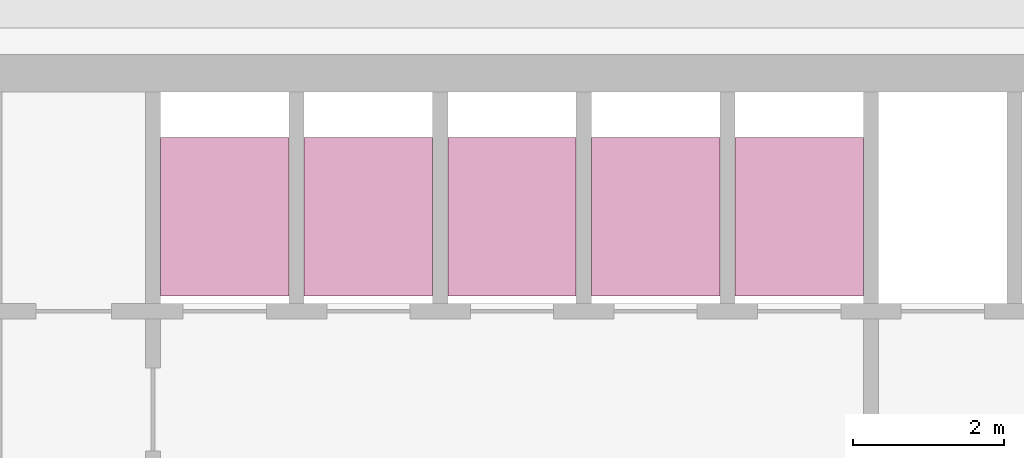
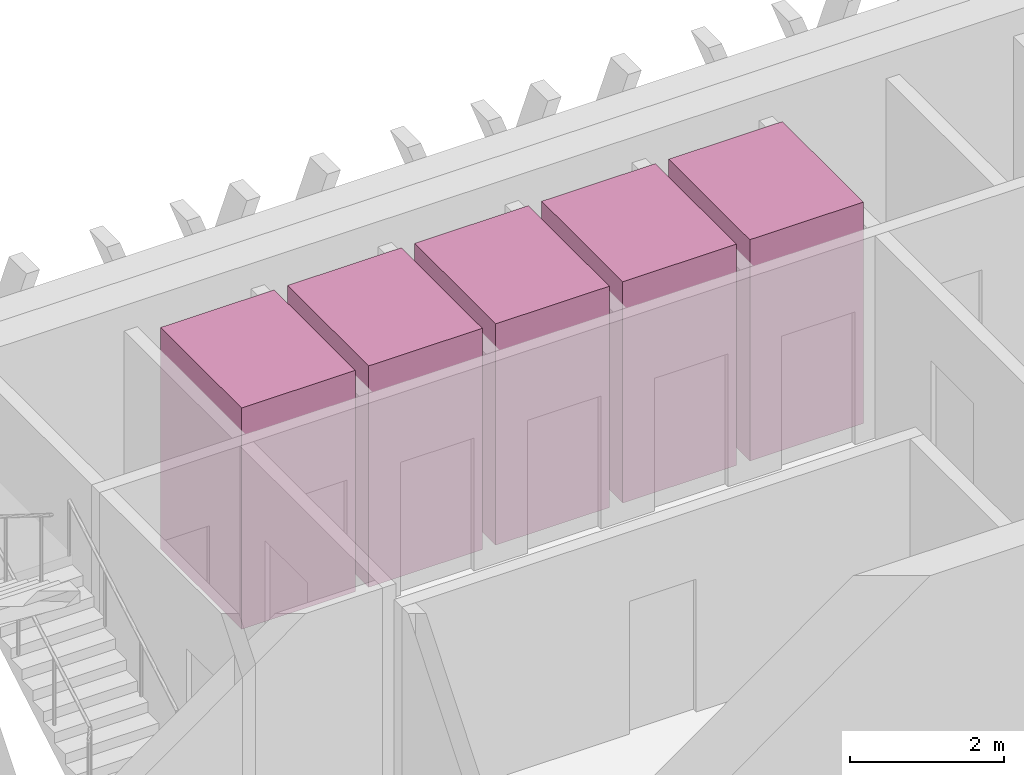
# One storey, part 12 of 12: 5 transport elements.
"""IFC4 building model written with IfcOpenShell, lengths in metres."""

import ifcopenshell
import ifcopenshell.guid

model = None  # the IFC model being written
_history = None  # IfcOwnerHistory: only IFC2X3 demands one
_inside = {}  # id of a spatial element -> (the spatial element, [elements in it])
_under = {}  # id of a project, library or spatial element -> (it, [spatial elements below it])
_declared = {}  # id of a project -> (the project, [libraries it declares])
_typed = {}  # id of a type object -> (the type object, [elements of that type])
_made_of = {}  # id of a material, layer set ... -> (it, [elements and type objects made of it])


def new_model(schema):
    """Start an empty IFC model of exactly this schema.

    Asked for "IFC4X3", IfcOpenShell would pick the latest addendum, in which some entities
    have other attributes; the version numbers below select the first issue.
    IFC2X3 requires an IfcOwnerHistory on every rooted entity: one is made here for all.
    """
    global model, _history
    if schema == "IFC4X3":
        model = ifcopenshell.file(schema_version=(4, 3, 0, 0))
    else:
        model = ifcopenshell.file(schema=schema)
    _inside.clear()
    _under.clear()
    _declared.clear()
    _typed.clear()
    _made_of.clear()
    _history = None
    if model.schema == "IFC2X3":
        org = make("IfcOrganization", Name="unknown")
        user = make(
            "IfcPersonAndOrganization",
            ThePerson=make("IfcPerson", FamilyName="unknown"),
            TheOrganization=org,
        )
        app = make(
            "IfcApplication",
            ApplicationDeveloper=org,
            Version="unknown",
            ApplicationFullName="unknown",
            ApplicationIdentifier="unknown",
        )
        _history = make(
            "IfcOwnerHistory",
            OwningUser=user,
            OwningApplication=app,
            ChangeAction="ADDED",
            CreationDate=0,
        )
    return model


def make(cls, **values):
    """One entity of the class cls with the attributes given. An attribute that is None is left unset."""
    return model.create_entity(
        cls, **{name: value for name, value in values.items() if value is not None}
    )


def rooted(cls, **values):
    """An entity with a GlobalId (a new one), such as an element, a storey or a relation."""
    return make(cls, GlobalId=ifcopenshell.guid.new(), OwnerHistory=_history, **values)


def si_unit(unit_type, name, prefix=None):
    """IfcSIUnit, for example si_unit("LENGTHUNIT", "METRE", prefix="MILLI")."""
    return make("IfcSIUnit", UnitType=unit_type, Prefix=prefix, Name=name)


def assignment(units):
    """IfcUnitAssignment: the units of a project."""
    return None if units is None else make("IfcUnitAssignment", Units=units)


def point(xyz):
    """IfcCartesianPoint."""
    return None if xyz is None else make("IfcCartesianPoint", Coordinates=xyz)


def direction(xyz):
    """IfcDirection."""
    return None if xyz is None else make("IfcDirection", DirectionRatios=xyz)


def frame(location, z_axis=None, x_axis=None):
    """IfcAxis2Placement3D, a coordinate frame: its origin and axes. An axis left out is left unset."""
    return make(
        "IfcAxis2Placement3D",
        Location=point(location),
        Axis=direction(z_axis),
        RefDirection=direction(x_axis),
    )


def frame_2d(location, x_axis=None):
    """IfcAxis2Placement2D, a coordinate frame in the plane: its origin and x axis."""
    return make(
        "IfcAxis2Placement2D", Location=point(location), RefDirection=direction(x_axis)
    )


def origin():
    """The frame at (0, 0, 0) with its axes left unset."""
    return frame((0.0, 0.0, 0.0))


def origin_2d():
    """The frame at (0, 0) in the plane with its x axis left unset."""
    return frame_2d((0.0, 0.0))


def place(relative_to, where):
    """IfcLocalPlacement: puts the frame where relative to a parent placement (None: the world)."""
    return make(
        "IfcLocalPlacement", PlacementRelTo=relative_to, RelativePlacement=where
    )


def context(
    kind, dimensions, precision=None, world=None, true_north=None, identifier=None
):
    """IfcGeometricRepresentationContext, for example the 3D "Model" context."""
    return make(
        "IfcGeometricRepresentationContext",
        ContextIdentifier=identifier,
        ContextType=kind,
        CoordinateSpaceDimension=dimensions,
        Precision=precision,
        WorldCoordinateSystem=world,
        TrueNorth=true_north,
    )


def subcontext(parent, identifier, kind, view, scale=None):
    """IfcGeometricRepresentationSubContext, for example "Body" below "Model"."""
    return make(
        "IfcGeometricRepresentationSubContext",
        ContextIdentifier=identifier,
        ContextType=kind,
        ParentContext=parent,
        TargetScale=scale,
        TargetView=view,
    )


def project(units=None, contexts=None):
    """IfcProject with its units and contexts."""
    return rooted(
        "IfcProject",
        Name="project",
        RepresentationContexts=contexts,
        UnitsInContext=assignment(units),
    )


def spatial(cls, under=None, at=None, **own):
    """A site, building, storey or space (cls), placed at a placement, below another one or the project."""
    s = rooted(cls, ObjectPlacement=at, **own)
    if under is not None:
        _under.setdefault(under.id(), (under, []))[1].append(s)
    return s


def profile(cls, at=None, kind="AREA", **sizes):
    """A parametric profile (cls). Its sizes go by their IFC names, for example OverallWidth=200.0."""
    return make(cls, ProfileType=kind, Position=at, **sizes)


def rectangle(**sizes):
    """IfcRectangleProfileDef."""
    return profile("IfcRectangleProfileDef", **sizes)


def extrude(swept, where, along, depth):
    """IfcExtrudedAreaSolid: the profile swept, set in the frame where, extruded along a direction by depth."""
    return make(
        "IfcExtrudedAreaSolid",
        SweptArea=swept,
        Position=where,
        ExtrudedDirection=direction(along),
        Depth=depth,
    )


def shape(context_of_items, identifier, shape_type, items):
    """IfcShapeRepresentation: the items that make up one representation, for example the "Body"."""
    return make(
        "IfcShapeRepresentation",
        ContextOfItems=context_of_items,
        RepresentationIdentifier=identifier,
        RepresentationType=shape_type,
        Items=items,
    )


def material(Name=None, Category=None):
    """IfcMaterial."""
    return make("IfcMaterial", Name=Name, Category=Category)


def made_of(thing, what):
    """Note that an element or type object is made of a material, layer set ...; save() writes the relation."""
    if what is not None:
        _made_of.setdefault(what.id(), (what, []))[1].append(thing)
    return thing


def type_object(cls, material=None, **own):
    """A type object (cls), such as IfcWallType, which elements share."""
    return made_of(rooted(cls, **own), material)


def element(
    cls,
    number,
    at=None,
    inside=None,
    cuts=None,
    type_object=None,
    material=None,
    context=None,
    identifier="Body",
    shape_type=None,
    held_by="IfcProductDefinitionShape",
    body=None,
    shapes=None,
    **own,
):
    """One element of the class cls, such as IfcWall. Its Tag is "e" and its number.

    at: its placement. inside: the storey or other place that contains it. cuts: it is an
    opening in that element (IfcRelVoidsElement). A single representation is given by context,
    identifier, shape_type and body (its items); several are given by shapes. held_by: the class
    of the entity that holds the representations. save() writes the other relations.
    """
    e = rooted(cls, Tag="e%d" % number, ObjectPlacement=at, **own)
    if body is not None:
        shapes = [shape(context, identifier, shape_type, body)]
    if shapes is not None:
        e.Representation = make(held_by, Representations=shapes)
    if inside is not None:
        _inside.setdefault(inside.id(), (inside, []))[1].append(e)
    if cuts is not None:
        rooted(
            "IfcRelVoidsElement", RelatingBuildingElement=cuts, RelatedOpeningElement=e
        )
    if type_object is not None:
        _typed.setdefault(type_object.id(), (type_object, []))[1].append(e)
    return made_of(e, material)


def aggregate(whole, parts):
    """IfcRelAggregates: a whole, such as a stair, and the parts it consists of."""
    return rooted("IfcRelAggregates", RelatingObject=whole, RelatedObjects=parts)


def save(model, path):
    """Write the relations noted so far, then the file.

    IfcRelAggregates (storeys below a building ...), IfcRelContainedInSpatialStructure (elements
    in a storey), IfcRelDefinesByType, IfcRelAssociatesMaterial and IfcRelDeclares: one each for
    every whole, place, type object, material and project.
    """
    for whole, parts in _under.values():
        aggregate(whole, parts)
    for where, things in _inside.values():
        rooted(
            "IfcRelContainedInSpatialStructure",
            RelatedElements=things,
            RelatingStructure=where,
        )
    for kind, things in _typed.values():
        rooted("IfcRelDefinesByType", RelatedObjects=things, RelatingType=kind)
    for what, things in _made_of.values():
        rooted("IfcRelAssociatesMaterial", RelatedObjects=things, RelatingMaterial=what)
    for by, libraries in _declared.values():
        rooted("IfcRelDeclares", RelatingContext=by, RelatedDefinitions=libraries)
    model.write(path)


model = new_model("IFC4")

# Units and contexts
model_context = context("Model", 3, precision=1e-05, world=origin(), true_north=direction((0.0, 1.0)))
body_context = subcontext(model_context, "Body", "Model", "MODEL_VIEW")
ifc_project = project(units=[si_unit("LENGTHUNIT", "METRE"), si_unit("AREAUNIT", "SQUARE_METRE"), si_unit("VOLUMEUNIT", "CUBIC_METRE"), si_unit("PLANEANGLEUNIT", "RADIAN"), si_unit("MASSUNIT", "GRAM", prefix="KILO")], contexts=[model_context])

# Site, building, storey
site_placement = place(None, origin())
site = spatial("IfcSite", under=ifc_project, at=site_placement, CompositionType="ELEMENT")
building_placement = place(site_placement, origin())
building = spatial("IfcBuilding", under=site, at=building_placement, Name="Altiplano Prism Tower", CompositionType="ELEMENT")
storey_placement = place(building_placement, frame((0.0, 0.0, 278.800048828125)))
storey = spatial("IfcBuildingStorey", under=building, at=storey_placement, Name="L72", CompositionType="ELEMENT", Elevation=278.800048828125)

# Transport elements
ifc_material = material(Name="Stainless steel lift car", Category="steel")
transport_element_type = type_object("IfcTransportElementType", Name="Passenger lift car 1600 x 2100", PredefinedType="ELEVATOR", material=ifc_material)
for number, where, z_axis, x_axis, name in (
    (1, (79.050048828125, 101.75, 0.050048828125), (0.0, 0.0, 1.0), (1.0, 0.0, 0.0), "High Zone Passenger Lift 1"),
    (2, (80.949951171875, 101.75, 0.050048828125), (0.0, 0.0, 1.0), (1.0, 0.0, 0.0), "High Zone Passenger Lift 2"),
    (3, (82.85009765625, 101.75, 0.050048828125), (0.0, 0.0, 1.0), (1.0, 0.0, 0.0), "High Zone Passenger Lift 3"),
    (4, (84.75, 101.75, 0.050048828125), (0.0, 0.0, 1.0), (1.0, 0.0, 0.0), "High Zone Passenger Lift 4"),
    (5, (86.64990234375, 101.75, 0.050048828125), (0.0, 0.0, 1.0), (1.0, 0.0, 0.0), "High Zone Passenger Lift 5"),
):
    element("IfcTransportElement", number, at=place(storey_placement, frame(where, z_axis=z_axis, x_axis=x_axis)), inside=storey, type_object=transport_element_type, Name=name, PredefinedType="ELEVATOR", context=body_context, shape_type="SweptSolid", body=[
        extrude(rectangle(XDim=1.699951171875, YDim=2.10009765625, at=origin_2d()), origin(), (0.0, 0.0, 1.0), 3.5),
    ])

save(model, "model.ifc")
